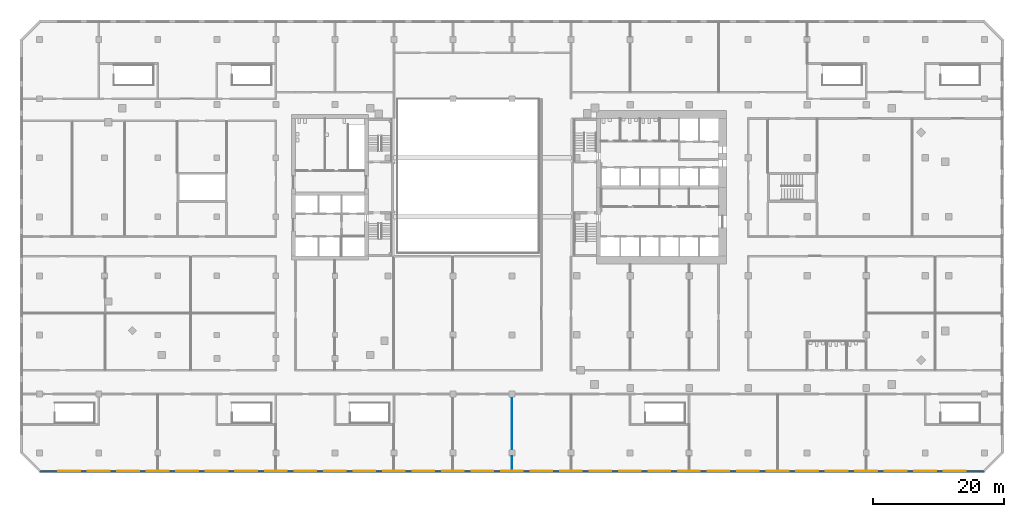
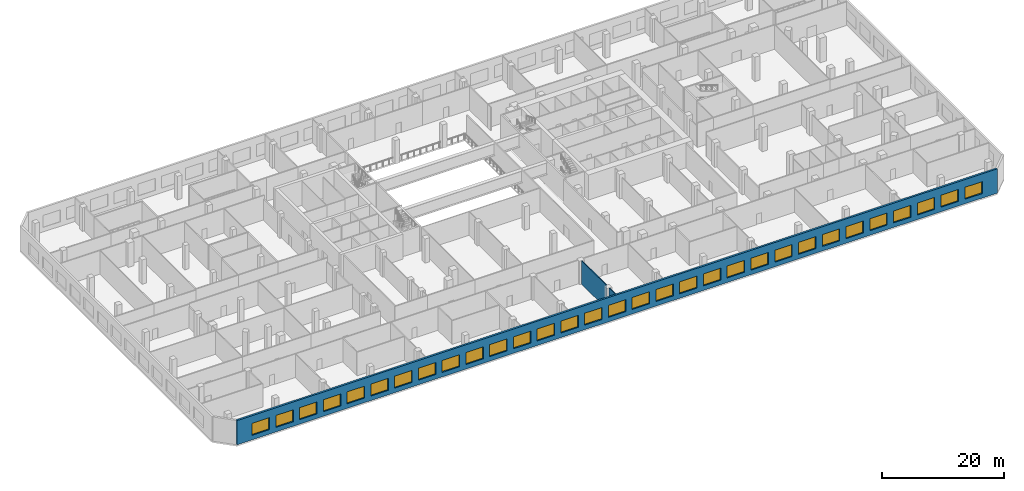
# One storey, part 8 of 20: 31 windows, 3 walls, 31 openings.
"""IFC4 building model written with IfcOpenShell, lengths in metres."""

from ifc_helpers import new_model, si_unit, direction, frame, frame_2d, origin, place, context, subcontext, project, spatial, rectangle, extrude, material, layer, layer_set, type_object, element, fill, save


model = new_model("IFC4")

# Units and contexts
model_context = context("Model", 3, precision=1e-05, world=origin(), true_north=direction((0.0, 1.0)))
body_context = subcontext(model_context, "Body", "Model", "MODEL_VIEW")
ifc_project = project(units=[si_unit("LENGTHUNIT", "METRE"), si_unit("AREAUNIT", "SQUARE_METRE"), si_unit("VOLUMEUNIT", "CUBIC_METRE"), si_unit("PLANEANGLEUNIT", "RADIAN"), si_unit("MASSUNIT", "GRAM", prefix="KILO")], contexts=[model_context])

# Site, building, storey
site_placement = place(None, origin())
site = spatial("IfcSite", under=ifc_project, at=site_placement, CompositionType="ELEMENT")
building_placement = place(site_placement, origin())
building = spatial("IfcBuilding", under=site, at=building_placement, Name="Cinnabar Reach Civic Tower", CompositionType="ELEMENT")
storey_placement = place(building_placement, frame((0.0, 0.0, 21.0)))
storey = spatial("IfcBuildingStorey", under=building, at=storey_placement, Name="L04", CompositionType="ELEMENT", Elevation=21.0)

# Wall, openings, windows
ifc_material_1 = material(Name="Facing brick with insulated backing", Category="masonry")
ifc_layer_1 = layer(ifc_material_1, 0.36)
ifc_layer_set_1 = layer_set([ifc_layer_1], Name="Brick pier and spandrel wall")
wall_type_1 = type_object("IfcWallType", Name="Brick pier and spandrel wall", PredefinedType="STANDARD", material=ifc_layer_set_1)
wall_1_placement = place(storey_placement, frame((-81.0, -11.82, 0.0), z_axis=(0.0, 0.0, 1.0), x_axis=(1.0, 0.0, 0.0)))
wall_1 = element("IfcWall", 1, at=wall_1_placement, inside=storey, type_object=wall_type_1, Name="Brick facade wall", PredefinedType="STANDARD", context=body_context, shape_type="SweptSolid", body=[
    extrude(rectangle(XDim=144.0, YDim=0.36, at=frame_2d((72.0, 0.0))), origin(), (0.0, 0.0, 1.0), 4.85),
])
opening_1_placement = place(wall_1_placement, frame((2.85, 0.0, 0.9)))
opening_1 = element("IfcOpeningElement", 2, at=opening_1_placement, cuts=wall_1, Name="Opening W3094", PredefinedType="OPENING", context=body_context, shape_type="SweptSolid", body=[
    extrude(rectangle(XDim=3.3, YDim=2.4, at=frame_2d((1.65, 1.2))), frame((0.0, 0.19, 0.0), z_axis=(0.0, -1.0, 0.0), x_axis=(1.0, 0.0, 0.0)), (0.0, 0.0, 1.0), 0.38),
])
opening_2_placement = place(wall_1_placement, frame((7.35, 0.0, 0.9)))
opening_2 = element("IfcOpeningElement", 3, at=opening_2_placement, cuts=wall_1, Name="Opening W3095", PredefinedType="OPENING", context=body_context, shape_type="SweptSolid", body=[
    extrude(rectangle(XDim=3.3, YDim=2.4, at=frame_2d((1.65, 1.2))), frame((0.0, 0.19, 0.0), z_axis=(0.0, -1.0, 0.0), x_axis=(1.0, 0.0, 0.0)), (0.0, 0.0, 1.0), 0.38),
])
opening_3_placement = place(wall_1_placement, frame((11.85, 0.0, 0.9)))
opening_3 = element("IfcOpeningElement", 4, at=opening_3_placement, cuts=wall_1, Name="Opening W3096", PredefinedType="OPENING", context=body_context, shape_type="SweptSolid", body=[
    extrude(rectangle(XDim=3.3, YDim=2.4, at=frame_2d((1.65, 1.2))), frame((0.0, 0.19, 0.0), z_axis=(0.0, -1.0, 0.0), x_axis=(1.0, 0.0, 0.0)), (0.0, 0.0, 1.0), 0.38),
])
opening_4_placement = place(wall_1_placement, frame((16.35, 0.0, 0.9)))
opening_4 = element("IfcOpeningElement", 5, at=opening_4_placement, cuts=wall_1, Name="Opening W3097", PredefinedType="OPENING", context=body_context, shape_type="SweptSolid", body=[
    extrude(rectangle(XDim=3.3, YDim=2.4, at=frame_2d((1.65, 1.2))), frame((0.0, 0.19, 0.0), z_axis=(0.0, -1.0, 0.0), x_axis=(1.0, 0.0, 0.0)), (0.0, 0.0, 1.0), 0.38),
])
opening_5_placement = place(wall_1_placement, frame((20.85, 0.0, 0.9)))
opening_5 = element("IfcOpeningElement", 6, at=opening_5_placement, cuts=wall_1, Name="Opening W3098", PredefinedType="OPENING", context=body_context, shape_type="SweptSolid", body=[
    extrude(rectangle(XDim=3.3, YDim=2.4, at=frame_2d((1.65, 1.2))), frame((0.0, 0.19, 0.0), z_axis=(0.0, -1.0, 0.0), x_axis=(1.0, 0.0, 0.0)), (0.0, 0.0, 1.0), 0.38),
])
opening_6_placement = place(wall_1_placement, frame((25.35, 0.0, 0.9)))
opening_6 = element("IfcOpeningElement", 7, at=opening_6_placement, cuts=wall_1, Name="Opening W3099", PredefinedType="OPENING", context=body_context, shape_type="SweptSolid", body=[
    extrude(rectangle(XDim=3.3, YDim=2.4, at=frame_2d((1.65, 1.2))), frame((0.0, 0.19, 0.0), z_axis=(0.0, -1.0, 0.0), x_axis=(1.0, 0.0, 0.0)), (0.0, 0.0, 1.0), 0.38),
])
opening_7_placement = place(wall_1_placement, frame((29.85, 0.0, 0.9)))
opening_7 = element("IfcOpeningElement", 8, at=opening_7_placement, cuts=wall_1, Name="Opening W3100", PredefinedType="OPENING", context=body_context, shape_type="SweptSolid", body=[
    extrude(rectangle(XDim=3.3, YDim=2.4, at=frame_2d((1.65, 1.2))), frame((0.0, 0.19, 0.0), z_axis=(0.0, -1.0, 0.0), x_axis=(1.0, 0.0, 0.0)), (0.0, 0.0, 1.0), 0.38),
])
opening_8_placement = place(wall_1_placement, frame((34.35, 0.0, 0.9)))
opening_8 = element("IfcOpeningElement", 9, at=opening_8_placement, cuts=wall_1, Name="Opening W3101", PredefinedType="OPENING", context=body_context, shape_type="SweptSolid", body=[
    extrude(rectangle(XDim=3.3, YDim=2.4, at=frame_2d((1.65, 1.2))), frame((0.0, 0.19, 0.0), z_axis=(0.0, -1.0, 0.0), x_axis=(1.0, 0.0, 0.0)), (0.0, 0.0, 1.0), 0.38),
])
opening_9_placement = place(wall_1_placement, frame((38.85, 0.0, 0.9)))
opening_9 = element("IfcOpeningElement", 10, at=opening_9_placement, cuts=wall_1, Name="Opening W3102", PredefinedType="OPENING", context=body_context, shape_type="SweptSolid", body=[
    extrude(rectangle(XDim=3.3, YDim=2.4, at=frame_2d((1.65, 1.2))), frame((0.0, 0.19, 0.0), z_axis=(0.0, -1.0, 0.0), x_axis=(1.0, 0.0, 0.0)), (0.0, 0.0, 1.0), 0.38),
])
opening_10_placement = place(wall_1_placement, frame((43.35, 0.0, 0.9)))
opening_10 = element("IfcOpeningElement", 11, at=opening_10_placement, cuts=wall_1, Name="Opening W3103", PredefinedType="OPENING", context=body_context, shape_type="SweptSolid", body=[
    extrude(rectangle(XDim=3.3, YDim=2.4, at=frame_2d((1.65, 1.2))), frame((0.0, 0.19, 0.0), z_axis=(0.0, -1.0, 0.0), x_axis=(1.0, 0.0, 0.0)), (0.0, 0.0, 1.0), 0.38),
])
opening_11_placement = place(wall_1_placement, frame((47.85, 0.0, 0.9)))
opening_11 = element("IfcOpeningElement", 12, at=opening_11_placement, cuts=wall_1, Name="Opening W3104", PredefinedType="OPENING", context=body_context, shape_type="SweptSolid", body=[
    extrude(rectangle(XDim=3.3, YDim=2.4, at=frame_2d((1.65, 1.2))), frame((0.0, 0.19, 0.0), z_axis=(0.0, -1.0, 0.0), x_axis=(1.0, 0.0, 0.0)), (0.0, 0.0, 1.0), 0.38),
])
opening_12_placement = place(wall_1_placement, frame((52.35, 0.0, 0.9)))
opening_12 = element("IfcOpeningElement", 13, at=opening_12_placement, cuts=wall_1, Name="Opening W3105", PredefinedType="OPENING", context=body_context, shape_type="SweptSolid", body=[
    extrude(rectangle(XDim=3.3, YDim=2.4, at=frame_2d((1.65, 1.2))), frame((0.0, 0.19, 0.0), z_axis=(0.0, -1.0, 0.0), x_axis=(1.0, 0.0, 0.0)), (0.0, 0.0, 1.0), 0.38),
])
opening_13_placement = place(wall_1_placement, frame((56.85, 0.0, 0.9)))
opening_13 = element("IfcOpeningElement", 14, at=opening_13_placement, cuts=wall_1, Name="Opening W3106", PredefinedType="OPENING", context=body_context, shape_type="SweptSolid", body=[
    extrude(rectangle(XDim=3.3, YDim=2.4, at=frame_2d((1.65, 1.2))), frame((0.0, 0.19, 0.0), z_axis=(0.0, -1.0, 0.0), x_axis=(1.0, 0.0, 0.0)), (0.0, 0.0, 1.0), 0.38),
])
opening_14_placement = place(wall_1_placement, frame((61.35, 0.0, 0.9)))
opening_14 = element("IfcOpeningElement", 15, at=opening_14_placement, cuts=wall_1, Name="Opening W3107", PredefinedType="OPENING", context=body_context, shape_type="SweptSolid", body=[
    extrude(rectangle(XDim=3.3, YDim=2.4, at=frame_2d((1.65, 1.2))), frame((0.0, 0.19, 0.0), z_axis=(0.0, -1.0, 0.0), x_axis=(1.0, 0.0, 0.0)), (0.0, 0.0, 1.0), 0.38),
])
opening_15_placement = place(wall_1_placement, frame((65.85, 0.0, 0.9)))
opening_15 = element("IfcOpeningElement", 16, at=opening_15_placement, cuts=wall_1, Name="Opening W3108", PredefinedType="OPENING", context=body_context, shape_type="SweptSolid", body=[
    extrude(rectangle(XDim=3.3, YDim=2.4, at=frame_2d((1.65, 1.2))), frame((0.0, 0.19, 0.0), z_axis=(0.0, -1.0, 0.0), x_axis=(1.0, 0.0, 0.0)), (0.0, 0.0, 1.0), 0.38),
])
opening_16_placement = place(wall_1_placement, frame((70.35, 0.0, 0.9)))
opening_16 = element("IfcOpeningElement", 17, at=opening_16_placement, cuts=wall_1, Name="Opening W3109", PredefinedType="OPENING", context=body_context, shape_type="SweptSolid", body=[
    extrude(rectangle(XDim=3.3, YDim=2.4, at=frame_2d((1.65, 1.2))), frame((0.0, 0.19, 0.0), z_axis=(0.0, -1.0, 0.0), x_axis=(1.0, 0.0, 0.0)), (0.0, 0.0, 1.0), 0.38),
])
opening_17_placement = place(wall_1_placement, frame((74.85, 0.0, 0.9)))
opening_17 = element("IfcOpeningElement", 18, at=opening_17_placement, cuts=wall_1, Name="Opening W3110", PredefinedType="OPENING", context=body_context, shape_type="SweptSolid", body=[
    extrude(rectangle(XDim=3.3, YDim=2.4, at=frame_2d((1.65, 1.2))), frame((0.0, 0.19, 0.0), z_axis=(0.0, -1.0, 0.0), x_axis=(1.0, 0.0, 0.0)), (0.0, 0.0, 1.0), 0.38),
])
opening_18_placement = place(wall_1_placement, frame((79.35, 0.0, 0.9)))
opening_18 = element("IfcOpeningElement", 19, at=opening_18_placement, cuts=wall_1, Name="Opening W3111", PredefinedType="OPENING", context=body_context, shape_type="SweptSolid", body=[
    extrude(rectangle(XDim=3.3, YDim=2.4, at=frame_2d((1.65, 1.2))), frame((0.0, 0.19, 0.0), z_axis=(0.0, -1.0, 0.0), x_axis=(1.0, 0.0, 0.0)), (0.0, 0.0, 1.0), 0.38),
])
opening_19_placement = place(wall_1_placement, frame((83.85, 0.0, 0.9)))
opening_19 = element("IfcOpeningElement", 20, at=opening_19_placement, cuts=wall_1, Name="Opening W3112", PredefinedType="OPENING", context=body_context, shape_type="SweptSolid", body=[
    extrude(rectangle(XDim=3.3, YDim=2.4, at=frame_2d((1.65, 1.2))), frame((0.0, 0.19, 0.0), z_axis=(0.0, -1.0, 0.0), x_axis=(1.0, 0.0, 0.0)), (0.0, 0.0, 1.0), 0.38),
])
opening_20_placement = place(wall_1_placement, frame((88.35, 0.0, 0.9)))
opening_20 = element("IfcOpeningElement", 21, at=opening_20_placement, cuts=wall_1, Name="Opening W3113", PredefinedType="OPENING", context=body_context, shape_type="SweptSolid", body=[
    extrude(rectangle(XDim=3.3, YDim=2.4, at=frame_2d((1.65, 1.2))), frame((0.0, 0.19, 0.0), z_axis=(0.0, -1.0, 0.0), x_axis=(1.0, 0.0, 0.0)), (0.0, 0.0, 1.0), 0.38),
])
opening_21_placement = place(wall_1_placement, frame((92.85, 0.0, 0.9)))
opening_21 = element("IfcOpeningElement", 22, at=opening_21_placement, cuts=wall_1, Name="Opening W3114", PredefinedType="OPENING", context=body_context, shape_type="SweptSolid", body=[
    extrude(rectangle(XDim=3.3, YDim=2.4, at=frame_2d((1.65, 1.2))), frame((0.0, 0.19, 0.0), z_axis=(0.0, -1.0, 0.0), x_axis=(1.0, 0.0, 0.0)), (0.0, 0.0, 1.0), 0.38),
])
opening_22_placement = place(wall_1_placement, frame((97.35, 0.0, 0.9)))
opening_22 = element("IfcOpeningElement", 23, at=opening_22_placement, cuts=wall_1, Name="Opening W3115", PredefinedType="OPENING", context=body_context, shape_type="SweptSolid", body=[
    extrude(rectangle(XDim=3.3, YDim=2.4, at=frame_2d((1.65, 1.2))), frame((0.0, 0.19, 0.0), z_axis=(0.0, -1.0, 0.0), x_axis=(1.0, 0.0, 0.0)), (0.0, 0.0, 1.0), 0.38),
])
opening_23_placement = place(wall_1_placement, frame((101.85, 0.0, 0.9)))
opening_23 = element("IfcOpeningElement", 24, at=opening_23_placement, cuts=wall_1, Name="Opening W3116", PredefinedType="OPENING", context=body_context, shape_type="SweptSolid", body=[
    extrude(rectangle(XDim=3.3, YDim=2.4, at=frame_2d((1.65, 1.2))), frame((0.0, 0.19, 0.0), z_axis=(0.0, -1.0, 0.0), x_axis=(1.0, 0.0, 0.0)), (0.0, 0.0, 1.0), 0.38),
])
opening_24_placement = place(wall_1_placement, frame((106.35, 0.0, 0.9)))
opening_24 = element("IfcOpeningElement", 25, at=opening_24_placement, cuts=wall_1, Name="Opening W3117", PredefinedType="OPENING", context=body_context, shape_type="SweptSolid", body=[
    extrude(rectangle(XDim=3.3, YDim=2.4, at=frame_2d((1.65, 1.2))), frame((0.0, 0.19, 0.0), z_axis=(0.0, -1.0, 0.0), x_axis=(1.0, 0.0, 0.0)), (0.0, 0.0, 1.0), 0.38),
])
opening_25_placement = place(wall_1_placement, frame((110.85, 0.0, 0.9)))
opening_25 = element("IfcOpeningElement", 26, at=opening_25_placement, cuts=wall_1, Name="Opening W3118", PredefinedType="OPENING", context=body_context, shape_type="SweptSolid", body=[
    extrude(rectangle(XDim=3.3, YDim=2.4, at=frame_2d((1.65, 1.2))), frame((0.0, 0.19, 0.0), z_axis=(0.0, -1.0, 0.0), x_axis=(1.0, 0.0, 0.0)), (0.0, 0.0, 1.0), 0.38),
])
opening_26_placement = place(wall_1_placement, frame((115.35, 0.0, 0.9)))
opening_26 = element("IfcOpeningElement", 27, at=opening_26_placement, cuts=wall_1, Name="Opening W3119", PredefinedType="OPENING", context=body_context, shape_type="SweptSolid", body=[
    extrude(rectangle(XDim=3.3, YDim=2.4, at=frame_2d((1.65, 1.2))), frame((0.0, 0.19, 0.0), z_axis=(0.0, -1.0, 0.0), x_axis=(1.0, 0.0, 0.0)), (0.0, 0.0, 1.0), 0.38),
])
opening_27_placement = place(wall_1_placement, frame((119.85, 0.0, 0.9)))
opening_27 = element("IfcOpeningElement", 28, at=opening_27_placement, cuts=wall_1, Name="Opening W3120", PredefinedType="OPENING", context=body_context, shape_type="SweptSolid", body=[
    extrude(rectangle(XDim=3.3, YDim=2.4, at=frame_2d((1.65, 1.2))), frame((0.0, 0.19, 0.0), z_axis=(0.0, -1.0, 0.0), x_axis=(1.0, 0.0, 0.0)), (0.0, 0.0, 1.0), 0.38),
])
opening_28_placement = place(wall_1_placement, frame((124.35, 0.0, 0.9)))
opening_28 = element("IfcOpeningElement", 29, at=opening_28_placement, cuts=wall_1, Name="Opening W3121", PredefinedType="OPENING", context=body_context, shape_type="SweptSolid", body=[
    extrude(rectangle(XDim=3.3, YDim=2.4, at=frame_2d((1.65, 1.2))), frame((0.0, 0.19, 0.0), z_axis=(0.0, -1.0, 0.0), x_axis=(1.0, 0.0, 0.0)), (0.0, 0.0, 1.0), 0.38),
])
opening_29_placement = place(wall_1_placement, frame((128.85, 0.0, 0.9)))
opening_29 = element("IfcOpeningElement", 30, at=opening_29_placement, cuts=wall_1, Name="Opening W3122", PredefinedType="OPENING", context=body_context, shape_type="SweptSolid", body=[
    extrude(rectangle(XDim=3.3, YDim=2.4, at=frame_2d((1.65, 1.2))), frame((0.0, 0.19, 0.0), z_axis=(0.0, -1.0, 0.0), x_axis=(1.0, 0.0, 0.0)), (0.0, 0.0, 1.0), 0.38),
])
opening_30_placement = place(wall_1_placement, frame((133.35, 0.0, 0.9)))
opening_30 = element("IfcOpeningElement", 31, at=opening_30_placement, cuts=wall_1, Name="Opening W3123", PredefinedType="OPENING", context=body_context, shape_type="SweptSolid", body=[
    extrude(rectangle(XDim=3.3, YDim=2.4, at=frame_2d((1.65, 1.2))), frame((0.0, 0.19, 0.0), z_axis=(0.0, -1.0, 0.0), x_axis=(1.0, 0.0, 0.0)), (0.0, 0.0, 1.0), 0.38),
])
opening_31_placement = place(wall_1_placement, frame((137.85, 0.0, 0.9)))
opening_31 = element("IfcOpeningElement", 32, at=opening_31_placement, cuts=wall_1, Name="Opening W3124", PredefinedType="OPENING", context=body_context, shape_type="SweptSolid", body=[
    extrude(rectangle(XDim=3.3, YDim=2.4, at=frame_2d((1.65, 1.2))), frame((0.0, 0.19, 0.0), z_axis=(0.0, -1.0, 0.0), x_axis=(1.0, 0.0, 0.0)), (0.0, 0.0, 1.0), 0.38),
])
ifc_material_2 = material(Name="Clear double glazing in aluminium frame", Category="aluminium")
window_type = type_object("IfcWindowType", Name="Podium window P", PartitioningType="SINGLE_PANEL", PredefinedType="WINDOW", material=ifc_material_2)
window_1_placement = place(opening_1_placement, origin())
window_1 = element("IfcWindow", 33, at=window_1_placement, inside=storey, type_object=window_type, Name="Window south face", OverallHeight=2.4, OverallWidth=3.3, PartitioningType="SINGLE_PANEL", PredefinedType="WINDOW", context=body_context, shape_type="SweptSolid", body=[
    extrude(rectangle(XDim=3.3, YDim=2.4, at=frame_2d((1.65, 1.2))), frame((0.0, 0.13, 0.0), z_axis=(0.0, -1.0, 0.0), x_axis=(1.0, 0.0, 0.0)), (0.0, 0.0, 1.0), 0.06),
])
fill(opening_1, window_1)
window_2_placement = place(opening_2_placement, origin())
window_2 = element("IfcWindow", 34, at=window_2_placement, inside=storey, type_object=window_type, Name="Window south face", OverallHeight=2.4, OverallWidth=3.3, PartitioningType="SINGLE_PANEL", PredefinedType="WINDOW", context=body_context, shape_type="SweptSolid", body=[
    extrude(rectangle(XDim=3.3, YDim=2.4, at=frame_2d((1.65, 1.2))), frame((0.0, 0.13, 0.0), z_axis=(0.0, -1.0, 0.0), x_axis=(1.0, 0.0, 0.0)), (0.0, 0.0, 1.0), 0.06),
])
fill(opening_2, window_2)
window_3_placement = place(opening_3_placement, origin())
window_3 = element("IfcWindow", 35, at=window_3_placement, inside=storey, type_object=window_type, Name="Window south face", OverallHeight=2.4, OverallWidth=3.3, PartitioningType="SINGLE_PANEL", PredefinedType="WINDOW", context=body_context, shape_type="SweptSolid", body=[
    extrude(rectangle(XDim=3.3, YDim=2.4, at=frame_2d((1.65, 1.2))), frame((0.0, 0.13, 0.0), z_axis=(0.0, -1.0, 0.0), x_axis=(1.0, 0.0, 0.0)), (0.0, 0.0, 1.0), 0.06),
])
fill(opening_3, window_3)
window_4_placement = place(opening_4_placement, origin())
window_4 = element("IfcWindow", 36, at=window_4_placement, inside=storey, type_object=window_type, Name="Window south face", OverallHeight=2.4, OverallWidth=3.3, PartitioningType="SINGLE_PANEL", PredefinedType="WINDOW", context=body_context, shape_type="SweptSolid", body=[
    extrude(rectangle(XDim=3.3, YDim=2.4, at=frame_2d((1.65, 1.2))), frame((0.0, 0.13, 0.0), z_axis=(0.0, -1.0, 0.0), x_axis=(1.0, 0.0, 0.0)), (0.0, 0.0, 1.0), 0.06),
])
fill(opening_4, window_4)
window_5_placement = place(opening_5_placement, origin())
window_5 = element("IfcWindow", 37, at=window_5_placement, inside=storey, type_object=window_type, Name="Window south face", OverallHeight=2.4, OverallWidth=3.3, PartitioningType="SINGLE_PANEL", PredefinedType="WINDOW", context=body_context, shape_type="SweptSolid", body=[
    extrude(rectangle(XDim=3.3, YDim=2.4, at=frame_2d((1.65, 1.2))), frame((0.0, 0.13, 0.0), z_axis=(0.0, -1.0, 0.0), x_axis=(1.0, 0.0, 0.0)), (0.0, 0.0, 1.0), 0.06),
])
fill(opening_5, window_5)
window_6_placement = place(opening_6_placement, origin())
window_6 = element("IfcWindow", 38, at=window_6_placement, inside=storey, type_object=window_type, Name="Window south face", OverallHeight=2.4, OverallWidth=3.3, PartitioningType="SINGLE_PANEL", PredefinedType="WINDOW", context=body_context, shape_type="SweptSolid", body=[
    extrude(rectangle(XDim=3.3, YDim=2.4, at=frame_2d((1.65, 1.2))), frame((0.0, 0.13, 0.0), z_axis=(0.0, -1.0, 0.0), x_axis=(1.0, 0.0, 0.0)), (0.0, 0.0, 1.0), 0.06),
])
fill(opening_6, window_6)
window_7_placement = place(opening_7_placement, origin())
window_7 = element("IfcWindow", 39, at=window_7_placement, inside=storey, type_object=window_type, Name="Window south face", OverallHeight=2.4, OverallWidth=3.3, PartitioningType="SINGLE_PANEL", PredefinedType="WINDOW", context=body_context, shape_type="SweptSolid", body=[
    extrude(rectangle(XDim=3.3, YDim=2.4, at=frame_2d((1.65, 1.2))), frame((0.0, 0.13, 0.0), z_axis=(0.0, -1.0, 0.0), x_axis=(1.0, 0.0, 0.0)), (0.0, 0.0, 1.0), 0.06),
])
fill(opening_7, window_7)
window_8_placement = place(opening_8_placement, origin())
window_8 = element("IfcWindow", 40, at=window_8_placement, inside=storey, type_object=window_type, Name="Window south face", OverallHeight=2.4, OverallWidth=3.3, PartitioningType="SINGLE_PANEL", PredefinedType="WINDOW", context=body_context, shape_type="SweptSolid", body=[
    extrude(rectangle(XDim=3.3, YDim=2.4, at=frame_2d((1.65, 1.2))), frame((0.0, 0.13, 0.0), z_axis=(0.0, -1.0, 0.0), x_axis=(1.0, 0.0, 0.0)), (0.0, 0.0, 1.0), 0.06),
])
fill(opening_8, window_8)
window_9_placement = place(opening_9_placement, origin())
window_9 = element("IfcWindow", 41, at=window_9_placement, inside=storey, type_object=window_type, Name="Window south face", OverallHeight=2.4, OverallWidth=3.3, PartitioningType="SINGLE_PANEL", PredefinedType="WINDOW", context=body_context, shape_type="SweptSolid", body=[
    extrude(rectangle(XDim=3.3, YDim=2.4, at=frame_2d((1.65, 1.2))), frame((0.0, 0.13, 0.0), z_axis=(0.0, -1.0, 0.0), x_axis=(1.0, 0.0, 0.0)), (0.0, 0.0, 1.0), 0.06),
])
fill(opening_9, window_9)
window_10_placement = place(opening_10_placement, origin())
window_10 = element("IfcWindow", 42, at=window_10_placement, inside=storey, type_object=window_type, Name="Window south face", OverallHeight=2.4, OverallWidth=3.3, PartitioningType="SINGLE_PANEL", PredefinedType="WINDOW", context=body_context, shape_type="SweptSolid", body=[
    extrude(rectangle(XDim=3.3, YDim=2.4, at=frame_2d((1.65, 1.2))), frame((0.0, 0.13, 0.0), z_axis=(0.0, -1.0, 0.0), x_axis=(1.0, 0.0, 0.0)), (0.0, 0.0, 1.0), 0.06),
])
fill(opening_10, window_10)
window_11_placement = place(opening_11_placement, origin())
window_11 = element("IfcWindow", 43, at=window_11_placement, inside=storey, type_object=window_type, Name="Window south face", OverallHeight=2.4, OverallWidth=3.3, PartitioningType="SINGLE_PANEL", PredefinedType="WINDOW", context=body_context, shape_type="SweptSolid", body=[
    extrude(rectangle(XDim=3.3, YDim=2.4, at=frame_2d((1.65, 1.2))), frame((0.0, 0.13, 0.0), z_axis=(0.0, -1.0, 0.0), x_axis=(1.0, 0.0, 0.0)), (0.0, 0.0, 1.0), 0.06),
])
fill(opening_11, window_11)
window_12_placement = place(opening_12_placement, origin())
window_12 = element("IfcWindow", 44, at=window_12_placement, inside=storey, type_object=window_type, Name="Window south face", OverallHeight=2.4, OverallWidth=3.3, PartitioningType="SINGLE_PANEL", PredefinedType="WINDOW", context=body_context, shape_type="SweptSolid", body=[
    extrude(rectangle(XDim=3.3, YDim=2.4, at=frame_2d((1.65, 1.2))), frame((0.0, 0.13, 0.0), z_axis=(0.0, -1.0, 0.0), x_axis=(1.0, 0.0, 0.0)), (0.0, 0.0, 1.0), 0.06),
])
fill(opening_12, window_12)
window_13_placement = place(opening_13_placement, origin())
window_13 = element("IfcWindow", 45, at=window_13_placement, inside=storey, type_object=window_type, Name="Window south face", OverallHeight=2.4, OverallWidth=3.3, PartitioningType="SINGLE_PANEL", PredefinedType="WINDOW", context=body_context, shape_type="SweptSolid", body=[
    extrude(rectangle(XDim=3.3, YDim=2.4, at=frame_2d((1.65, 1.2))), frame((0.0, 0.13, 0.0), z_axis=(0.0, -1.0, 0.0), x_axis=(1.0, 0.0, 0.0)), (0.0, 0.0, 1.0), 0.06),
])
fill(opening_13, window_13)
window_14_placement = place(opening_14_placement, origin())
window_14 = element("IfcWindow", 46, at=window_14_placement, inside=storey, type_object=window_type, Name="Window south face", OverallHeight=2.4, OverallWidth=3.3, PartitioningType="SINGLE_PANEL", PredefinedType="WINDOW", context=body_context, shape_type="SweptSolid", body=[
    extrude(rectangle(XDim=3.3, YDim=2.4, at=frame_2d((1.65, 1.2))), frame((0.0, 0.13, 0.0), z_axis=(0.0, -1.0, 0.0), x_axis=(1.0, 0.0, 0.0)), (0.0, 0.0, 1.0), 0.06),
])
fill(opening_14, window_14)
window_15_placement = place(opening_15_placement, origin())
window_15 = element("IfcWindow", 47, at=window_15_placement, inside=storey, type_object=window_type, Name="Window south face", OverallHeight=2.4, OverallWidth=3.3, PartitioningType="SINGLE_PANEL", PredefinedType="WINDOW", context=body_context, shape_type="SweptSolid", body=[
    extrude(rectangle(XDim=3.3, YDim=2.4, at=frame_2d((1.65, 1.2))), frame((0.0, 0.13, 0.0), z_axis=(0.0, -1.0, 0.0), x_axis=(1.0, 0.0, 0.0)), (0.0, 0.0, 1.0), 0.06),
])
fill(opening_15, window_15)
window_16_placement = place(opening_16_placement, origin())
window_16 = element("IfcWindow", 48, at=window_16_placement, inside=storey, type_object=window_type, Name="Window south face", OverallHeight=2.4, OverallWidth=3.3, PartitioningType="SINGLE_PANEL", PredefinedType="WINDOW", context=body_context, shape_type="SweptSolid", body=[
    extrude(rectangle(XDim=3.3, YDim=2.4, at=frame_2d((1.65, 1.2))), frame((0.0, 0.13, 0.0), z_axis=(0.0, -1.0, 0.0), x_axis=(1.0, 0.0, 0.0)), (0.0, 0.0, 1.0), 0.06),
])
fill(opening_16, window_16)
window_17_placement = place(opening_17_placement, origin())
window_17 = element("IfcWindow", 49, at=window_17_placement, inside=storey, type_object=window_type, Name="Window south face", OverallHeight=2.4, OverallWidth=3.3, PartitioningType="SINGLE_PANEL", PredefinedType="WINDOW", context=body_context, shape_type="SweptSolid", body=[
    extrude(rectangle(XDim=3.3, YDim=2.4, at=frame_2d((1.65, 1.2))), frame((0.0, 0.13, 0.0), z_axis=(0.0, -1.0, 0.0), x_axis=(1.0, 0.0, 0.0)), (0.0, 0.0, 1.0), 0.06),
])
fill(opening_17, window_17)
window_18_placement = place(opening_18_placement, origin())
window_18 = element("IfcWindow", 50, at=window_18_placement, inside=storey, type_object=window_type, Name="Window south face", OverallHeight=2.4, OverallWidth=3.3, PartitioningType="SINGLE_PANEL", PredefinedType="WINDOW", context=body_context, shape_type="SweptSolid", body=[
    extrude(rectangle(XDim=3.3, YDim=2.4, at=frame_2d((1.65, 1.2))), frame((0.0, 0.13, 0.0), z_axis=(0.0, -1.0, 0.0), x_axis=(1.0, 0.0, 0.0)), (0.0, 0.0, 1.0), 0.06),
])
fill(opening_18, window_18)
window_19_placement = place(opening_19_placement, origin())
window_19 = element("IfcWindow", 51, at=window_19_placement, inside=storey, type_object=window_type, Name="Window south face", OverallHeight=2.4, OverallWidth=3.3, PartitioningType="SINGLE_PANEL", PredefinedType="WINDOW", context=body_context, shape_type="SweptSolid", body=[
    extrude(rectangle(XDim=3.3, YDim=2.4, at=frame_2d((1.65, 1.2))), frame((0.0, 0.13, 0.0), z_axis=(0.0, -1.0, 0.0), x_axis=(1.0, 0.0, 0.0)), (0.0, 0.0, 1.0), 0.06),
])
fill(opening_19, window_19)
window_20_placement = place(opening_20_placement, origin())
window_20 = element("IfcWindow", 52, at=window_20_placement, inside=storey, type_object=window_type, Name="Window south face", OverallHeight=2.4, OverallWidth=3.3, PartitioningType="SINGLE_PANEL", PredefinedType="WINDOW", context=body_context, shape_type="SweptSolid", body=[
    extrude(rectangle(XDim=3.3, YDim=2.4, at=frame_2d((1.65, 1.2))), frame((0.0, 0.13, 0.0), z_axis=(0.0, -1.0, 0.0), x_axis=(1.0, 0.0, 0.0)), (0.0, 0.0, 1.0), 0.06),
])
fill(opening_20, window_20)
window_21_placement = place(opening_21_placement, origin())
window_21 = element("IfcWindow", 53, at=window_21_placement, inside=storey, type_object=window_type, Name="Window south face", OverallHeight=2.4, OverallWidth=3.3, PartitioningType="SINGLE_PANEL", PredefinedType="WINDOW", context=body_context, shape_type="SweptSolid", body=[
    extrude(rectangle(XDim=3.3, YDim=2.4, at=frame_2d((1.65, 1.2))), frame((0.0, 0.13, 0.0), z_axis=(0.0, -1.0, 0.0), x_axis=(1.0, 0.0, 0.0)), (0.0, 0.0, 1.0), 0.06),
])
fill(opening_21, window_21)
window_22_placement = place(opening_22_placement, origin())
window_22 = element("IfcWindow", 54, at=window_22_placement, inside=storey, type_object=window_type, Name="Window south face", OverallHeight=2.4, OverallWidth=3.3, PartitioningType="SINGLE_PANEL", PredefinedType="WINDOW", context=body_context, shape_type="SweptSolid", body=[
    extrude(rectangle(XDim=3.3, YDim=2.4, at=frame_2d((1.65, 1.2))), frame((0.0, 0.13, 0.0), z_axis=(0.0, -1.0, 0.0), x_axis=(1.0, 0.0, 0.0)), (0.0, 0.0, 1.0), 0.06),
])
fill(opening_22, window_22)
window_23_placement = place(opening_23_placement, origin())
window_23 = element("IfcWindow", 55, at=window_23_placement, inside=storey, type_object=window_type, Name="Window south face", OverallHeight=2.4, OverallWidth=3.3, PartitioningType="SINGLE_PANEL", PredefinedType="WINDOW", context=body_context, shape_type="SweptSolid", body=[
    extrude(rectangle(XDim=3.3, YDim=2.4, at=frame_2d((1.65, 1.2))), frame((0.0, 0.13, 0.0), z_axis=(0.0, -1.0, 0.0), x_axis=(1.0, 0.0, 0.0)), (0.0, 0.0, 1.0), 0.06),
])
fill(opening_23, window_23)
window_24_placement = place(opening_24_placement, origin())
window_24 = element("IfcWindow", 56, at=window_24_placement, inside=storey, type_object=window_type, Name="Window south face", OverallHeight=2.4, OverallWidth=3.3, PartitioningType="SINGLE_PANEL", PredefinedType="WINDOW", context=body_context, shape_type="SweptSolid", body=[
    extrude(rectangle(XDim=3.3, YDim=2.4, at=frame_2d((1.65, 1.2))), frame((0.0, 0.13, 0.0), z_axis=(0.0, -1.0, 0.0), x_axis=(1.0, 0.0, 0.0)), (0.0, 0.0, 1.0), 0.06),
])
fill(opening_24, window_24)
window_25_placement = place(opening_25_placement, origin())
window_25 = element("IfcWindow", 57, at=window_25_placement, inside=storey, type_object=window_type, Name="Window south face", OverallHeight=2.4, OverallWidth=3.3, PartitioningType="SINGLE_PANEL", PredefinedType="WINDOW", context=body_context, shape_type="SweptSolid", body=[
    extrude(rectangle(XDim=3.3, YDim=2.4, at=frame_2d((1.65, 1.2))), frame((0.0, 0.13, 0.0), z_axis=(0.0, -1.0, 0.0), x_axis=(1.0, 0.0, 0.0)), (0.0, 0.0, 1.0), 0.06),
])
fill(opening_25, window_25)
window_26_placement = place(opening_26_placement, origin())
window_26 = element("IfcWindow", 58, at=window_26_placement, inside=storey, type_object=window_type, Name="Window south face", OverallHeight=2.4, OverallWidth=3.3, PartitioningType="SINGLE_PANEL", PredefinedType="WINDOW", context=body_context, shape_type="SweptSolid", body=[
    extrude(rectangle(XDim=3.3, YDim=2.4, at=frame_2d((1.65, 1.2))), frame((0.0, 0.13, 0.0), z_axis=(0.0, -1.0, 0.0), x_axis=(1.0, 0.0, 0.0)), (0.0, 0.0, 1.0), 0.06),
])
fill(opening_26, window_26)
window_27_placement = place(opening_27_placement, origin())
window_27 = element("IfcWindow", 59, at=window_27_placement, inside=storey, type_object=window_type, Name="Window south face", OverallHeight=2.4, OverallWidth=3.3, PartitioningType="SINGLE_PANEL", PredefinedType="WINDOW", context=body_context, shape_type="SweptSolid", body=[
    extrude(rectangle(XDim=3.3, YDim=2.4, at=frame_2d((1.65, 1.2))), frame((0.0, 0.13, 0.0), z_axis=(0.0, -1.0, 0.0), x_axis=(1.0, 0.0, 0.0)), (0.0, 0.0, 1.0), 0.06),
])
fill(opening_27, window_27)
window_28_placement = place(opening_28_placement, origin())
window_28 = element("IfcWindow", 60, at=window_28_placement, inside=storey, type_object=window_type, Name="Window south face", OverallHeight=2.4, OverallWidth=3.3, PartitioningType="SINGLE_PANEL", PredefinedType="WINDOW", context=body_context, shape_type="SweptSolid", body=[
    extrude(rectangle(XDim=3.3, YDim=2.4, at=frame_2d((1.65, 1.2))), frame((0.0, 0.13, 0.0), z_axis=(0.0, -1.0, 0.0), x_axis=(1.0, 0.0, 0.0)), (0.0, 0.0, 1.0), 0.06),
])
fill(opening_28, window_28)
window_29_placement = place(opening_29_placement, origin())
window_29 = element("IfcWindow", 61, at=window_29_placement, inside=storey, type_object=window_type, Name="Window south face", OverallHeight=2.4, OverallWidth=3.3, PartitioningType="SINGLE_PANEL", PredefinedType="WINDOW", context=body_context, shape_type="SweptSolid", body=[
    extrude(rectangle(XDim=3.3, YDim=2.4, at=frame_2d((1.65, 1.2))), frame((0.0, 0.13, 0.0), z_axis=(0.0, -1.0, 0.0), x_axis=(1.0, 0.0, 0.0)), (0.0, 0.0, 1.0), 0.06),
])
fill(opening_29, window_29)
window_30_placement = place(opening_30_placement, origin())
window_30 = element("IfcWindow", 62, at=window_30_placement, inside=storey, type_object=window_type, Name="Window south face", OverallHeight=2.4, OverallWidth=3.3, PartitioningType="SINGLE_PANEL", PredefinedType="WINDOW", context=body_context, shape_type="SweptSolid", body=[
    extrude(rectangle(XDim=3.3, YDim=2.4, at=frame_2d((1.65, 1.2))), frame((0.0, 0.13, 0.0), z_axis=(0.0, -1.0, 0.0), x_axis=(1.0, 0.0, 0.0)), (0.0, 0.0, 1.0), 0.06),
])
fill(opening_30, window_30)
window_31_placement = place(opening_31_placement, origin())
window_31 = element("IfcWindow", 63, at=window_31_placement, inside=storey, type_object=window_type, Name="Window south face", OverallHeight=2.4, OverallWidth=3.3, PartitioningType="SINGLE_PANEL", PredefinedType="WINDOW", context=body_context, shape_type="SweptSolid", body=[
    extrude(rectangle(XDim=3.3, YDim=2.4, at=frame_2d((1.65, 1.2))), frame((0.0, 0.13, 0.0), z_axis=(0.0, -1.0, 0.0), x_axis=(1.0, 0.0, 0.0)), (0.0, 0.0, 1.0), 0.06),
])
fill(opening_31, window_31)

# Walls
ifc_material_3 = material(Name="Gypsum board on steel studs", Category="steel")
ifc_layer_2 = layer(ifc_material_3, 0.15)
ifc_layer_set_2 = layer_set([ifc_layer_2], Name="Podium partition wall 150 EI 90")
wall_type_2 = type_object("IfcWallType", Name="Podium partition wall 150 EI 90", PredefinedType="PARTITIONING", material=ifc_layer_set_2)
wall_2_placement = place(storey_placement, frame((-9.0, -11.6, 0.0), z_axis=(0.0, 0.0, 1.0), x_axis=(0.0, 1.0, 0.0)))
element("IfcWall", 64, at=wall_2_placement, inside=storey, type_object=wall_type_2, Name="Wall L04 149", PredefinedType="PARTITIONING", context=body_context, shape_type="SweptSolid", body=[
    extrude(rectangle(XDim=2.13, YDim=0.15, at=frame_2d((1.065, 0.0))), origin(), (0.0, 0.0, 1.0), 4.7),
])
wall_3_placement = place(storey_placement, frame((-9.0, -8.53, 0.0), z_axis=(0.0, 0.0, 1.0), x_axis=(0.0, 1.0, 0.0)))
element("IfcWall", 65, at=wall_3_placement, inside=storey, type_object=wall_type_2, Name="Wall L04 150", PredefinedType="PARTITIONING", context=body_context, shape_type="SweptSolid", body=[
    extrude(rectangle(XDim=8.06, YDim=0.15, at=frame_2d((4.03, 0.0))), origin(), (0.0, 0.0, 1.0), 4.7),
])

save(model, "model.ifc")
